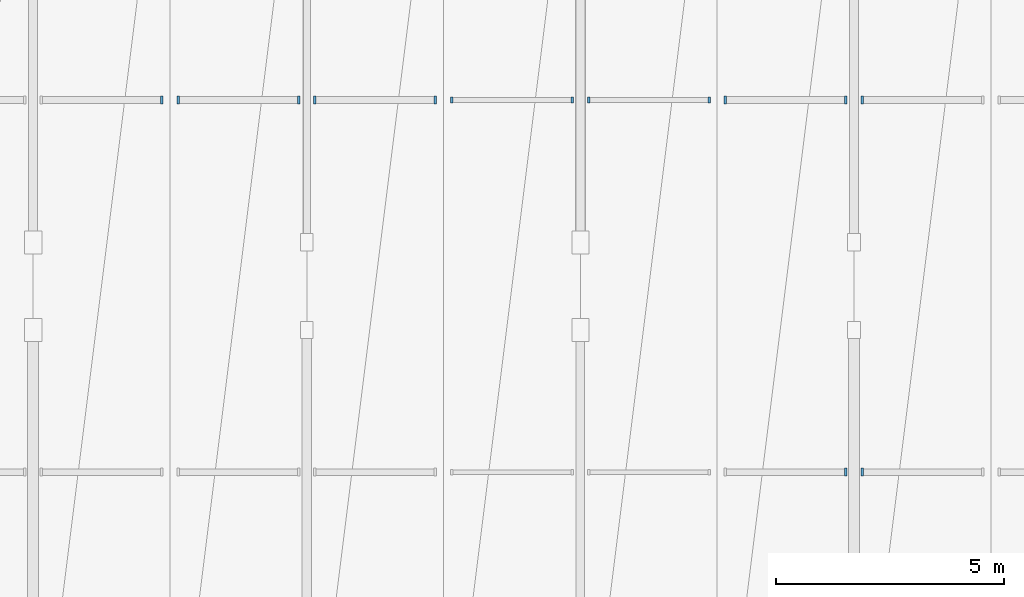
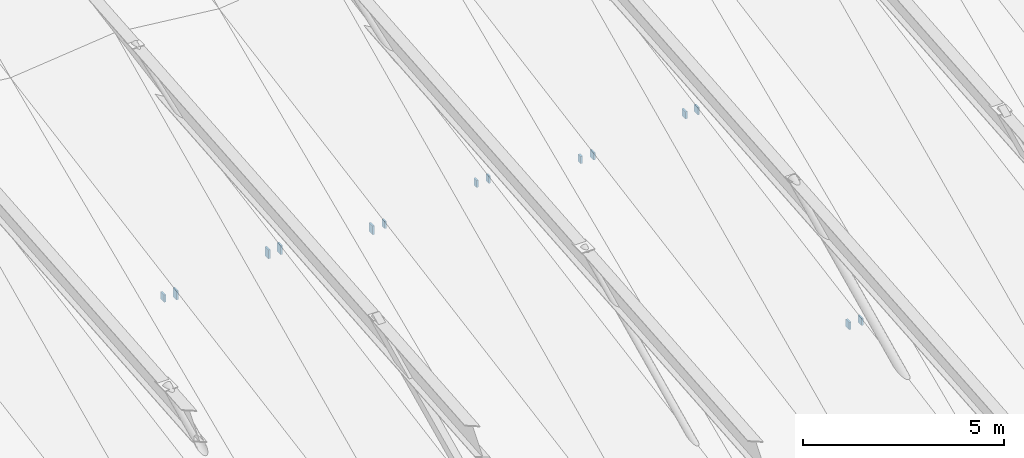
# One storey, part 41 of 52: 14 discrete accessories.
"""IFC4 building model written with IfcOpenShell, lengths in metres."""

from ifc_helpers import new_model, si_unit, direction, frame, origin, origin_2d, place, context, subcontext, project, spatial, rectangle, extrude, material, layer, layer_set, type_object, element, save


model = new_model("IFC4")

# Units and contexts
model_context = context("Model", 3, precision=1e-05, world=origin(), true_north=direction((0.0, 1.0)))
body_context = subcontext(model_context, "Body", "Model", "MODEL_VIEW")
ifc_project = project(units=[si_unit("LENGTHUNIT", "METRE"), si_unit("AREAUNIT", "SQUARE_METRE"), si_unit("VOLUMEUNIT", "CUBIC_METRE"), si_unit("PLANEANGLEUNIT", "RADIAN"), si_unit("MASSUNIT", "GRAM", prefix="KILO")], contexts=[model_context])

# Site, building, storey
site_placement = place(None, origin())
site = spatial("IfcSite", under=ifc_project, at=site_placement, CompositionType="ELEMENT")
building_placement = place(site_placement, origin())
building = spatial("IfcBuilding", under=site, at=building_placement, Name="Vaelkrest Opera House", CompositionType="ELEMENT")
storey_placement = place(building_placement, frame((0.0, 0.0, 41.39990234375)))
storey = spatial("IfcBuildingStorey", under=building, at=storey_placement, Name="ROOF", CompositionType="ELEMENT", Elevation=41.39990234375)

# Discrete accessories
ifc_material = material(Name="Steel A572 Gr50", Category="steel")
ifc_layer = layer(ifc_material, 0.320068359375)
ifc_layer_set = layer_set([ifc_layer], Name="Steel A572 Gr50")
discrete_accessory_type = type_object("IfcDiscreteAccessoryType", Name="ECP01", PredefinedType="USERDEFINED", material=ifc_layer_set)
discrete_accessory_placement = place(storey_placement, frame((-6.177490234375, -15.719970703125, -9.5234375), z_axis=(0.0, 0.0, 1.0), x_axis=(1.0, 0.0, 0.0)))
element("IfcDiscreteAccessory", 1, at=discrete_accessory_placement, inside=storey, type_object=discrete_accessory_type, Name="Purlin HSS end cap plate V1-04-S2-67-E1", ObjectType="CAP PLATE", PredefinedType="USERDEFINED", context=body_context, shape_type="SweptSolid", body=[
    extrude(rectangle(XDim=0.054931640625, YDim=0.176025390625, at=origin_2d()), origin(), (0.0, 0.0, 1.0), 0.218994140625),
])
for number, where, z_axis, x_axis, name in (
    (2, (-5.822509765625, -15.719970703125, -9.573974609375), (0.0, 0.0, 1.0), (1.0, 0.0, 0.0), "Purlin HSS end cap plate V1-05-S2-67-W0"),
    (3, (-3.177490234375, -15.719970703125, -9.25), (0.0, 0.0, 1.0), (1.0, 0.0, 0.0), "Purlin HSS end cap plate V1-05-S2-67-W1"),
    (4, (-2.822509765625, -15.719970703125, -9.25), (0.0, 0.0, 1.0), (1.0, 0.0, 0.0), "Purlin HSS end cap plate V1-05-S2-67-E0"),
    (5, (-0.177490234375, -15.719970703125, -9.573974609375), (0.0, 0.0, 1.0), (1.0, 0.0, 0.0), "Purlin HSS end cap plate V1-05-S2-67-E1"),
):
    element("IfcDiscreteAccessory", number, at=place(storey_placement, frame(where, z_axis=z_axis, x_axis=x_axis)), inside=storey, type_object=discrete_accessory_type, Name=name, ObjectType="CAP PLATE", PredefinedType="USERDEFINED", context=body_context, shape_type="SweptSolid", body=[
        extrude(rectangle(XDim=0.054931640625, YDim=0.176025390625, at=origin_2d()), origin(), (0.0, 0.0, 1.0), 0.27001953125),
    ])
for number, where, z_axis, x_axis, name in (
    (6, (0.177490234375, -15.719970703125, -9.5234375), (0.0, 0.0, 1.0), (1.0, 0.0, 0.0), "Purlin HSS end cap plate V1-06-S2-67-W0"),
    (7, (2.822509765625, -15.719970703125, -9.19921875), (0.0, 0.0, 1.0), (1.0, 0.0, 0.0), "Purlin HSS end cap plate V1-06-S2-67-W1"),
    (8, (3.177490234375, -15.719970703125, -9.19921875), (0.0, 0.0, 1.0), (1.0, 0.0, 0.0), "Purlin HSS end cap plate V1-06-S2-67-E0"),
    (9, (5.822509765625, -15.719970703125, -9.5234375), (0.0, 0.0, 1.0), (1.0, 0.0, 0.0), "Purlin HSS end cap plate V1-06-S2-67-E1"),
):
    element("IfcDiscreteAccessory", number, at=place(storey_placement, frame(where, z_axis=z_axis, x_axis=x_axis)), inside=storey, type_object=discrete_accessory_type, Name=name, ObjectType="CAP PLATE", PredefinedType="USERDEFINED", context=body_context, shape_type="SweptSolid", body=[
        extrude(rectangle(XDim=0.054931640625, YDim=0.1259765625, at=origin_2d()), origin(), (0.0, 0.0, 1.0), 0.218994140625),
    ])
for number, where, z_axis, x_axis, name in (
    (10, (8.822509765625, -23.8798828125, -10.6591796875), (0.0, 0.0, 1.0), (1.0, 0.0, 0.0), "Purlin HSS end cap plate V1-07-S2-33-W1"),
    (11, (9.177490234375, -23.8798828125, -10.6591796875), (0.0, 0.0, 1.0), (1.0, 0.0, 0.0), "Purlin HSS end cap plate V1-07-S2-33-E0"),
    (12, (6.177490234375, -15.719970703125, -9.5234375), (0.0, 0.0, 1.0), (1.0, 0.0, 0.0), "Purlin HSS end cap plate V1-07-S2-67-W0"),
    (13, (8.822509765625, -15.719970703125, -9.19921875), (0.0, 0.0, 1.0), (1.0, 0.0, 0.0), "Purlin HSS end cap plate V1-07-S2-67-W1"),
    (14, (9.177490234375, -15.719970703125, -9.19921875), (0.0, 0.0, 1.0), (1.0, 0.0, 0.0), "Purlin HSS end cap plate V1-07-S2-67-E0"),
):
    element("IfcDiscreteAccessory", number, at=place(storey_placement, frame(where, z_axis=z_axis, x_axis=x_axis)), inside=storey, type_object=discrete_accessory_type, Name=name, ObjectType="CAP PLATE", PredefinedType="USERDEFINED", context=body_context, shape_type="SweptSolid", body=[
        extrude(rectangle(XDim=0.054931640625, YDim=0.176025390625, at=origin_2d()), origin(), (0.0, 0.0, 1.0), 0.218994140625),
    ])

save(model, "model.ifc")
